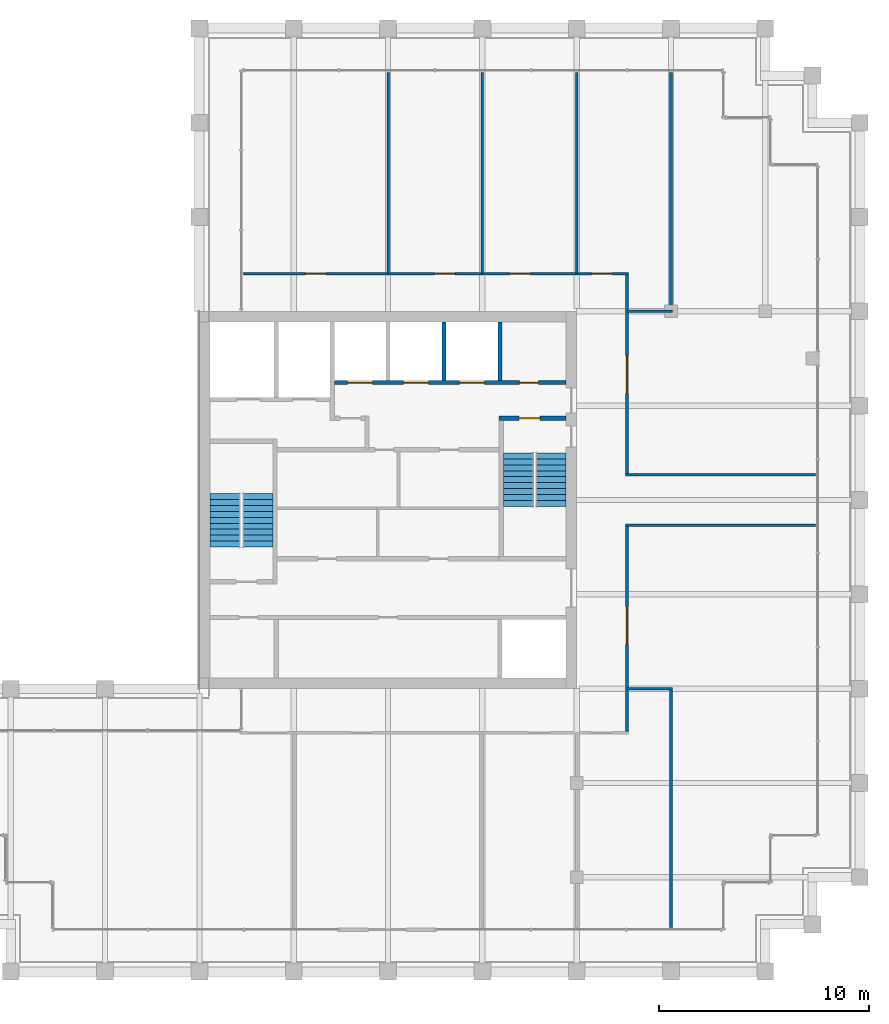
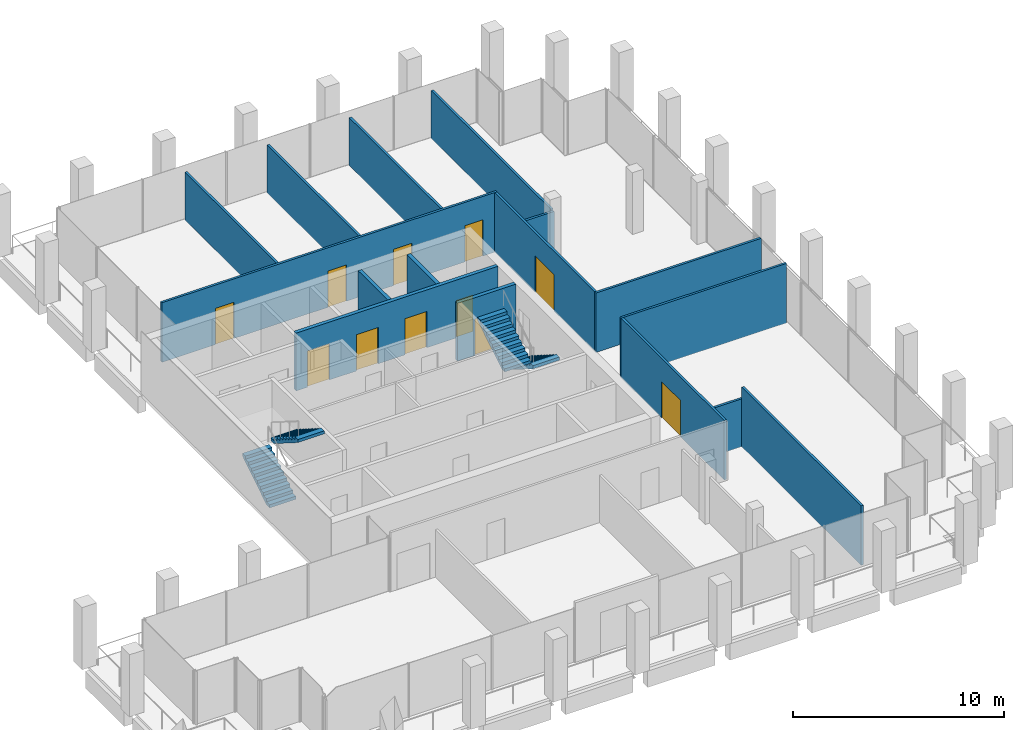
# One storey, part 29 of 30: 16 walls, 11 doors, 4 stair flights, 11 openings, 2 elements without a shape of their own.
"""IFC4 building model written with IfcOpenShell, lengths in metres."""

import ifcopenshell
import ifcopenshell.guid

model = None  # the IFC model being written
_history = None  # IfcOwnerHistory: only IFC2X3 demands one
_inside = {}  # id of a spatial element -> (the spatial element, [elements in it])
_under = {}  # id of a project, library or spatial element -> (it, [spatial elements below it])
_declared = {}  # id of a project -> (the project, [libraries it declares])
_typed = {}  # id of a type object -> (the type object, [elements of that type])
_made_of = {}  # id of a material, layer set ... -> (it, [elements and type objects made of it])


def new_model(schema):
    """Start an empty IFC model of exactly this schema.

    Asked for "IFC4X3", IfcOpenShell would pick the latest addendum, in which some entities
    have other attributes; the version numbers below select the first issue.
    IFC2X3 requires an IfcOwnerHistory on every rooted entity: one is made here for all.
    """
    global model, _history
    if schema == "IFC4X3":
        model = ifcopenshell.file(schema_version=(4, 3, 0, 0))
    else:
        model = ifcopenshell.file(schema=schema)
    _inside.clear()
    _under.clear()
    _declared.clear()
    _typed.clear()
    _made_of.clear()
    _history = None
    if model.schema == "IFC2X3":
        org = make("IfcOrganization", Name="unknown")
        user = make(
            "IfcPersonAndOrganization",
            ThePerson=make("IfcPerson", FamilyName="unknown"),
            TheOrganization=org,
        )
        app = make(
            "IfcApplication",
            ApplicationDeveloper=org,
            Version="unknown",
            ApplicationFullName="unknown",
            ApplicationIdentifier="unknown",
        )
        _history = make(
            "IfcOwnerHistory",
            OwningUser=user,
            OwningApplication=app,
            ChangeAction="ADDED",
            CreationDate=0,
        )
    return model


def make(cls, **values):
    """One entity of the class cls with the attributes given. An attribute that is None is left unset."""
    return model.create_entity(
        cls, **{name: value for name, value in values.items() if value is not None}
    )


def rooted(cls, **values):
    """An entity with a GlobalId (a new one), such as an element, a storey or a relation."""
    return make(cls, GlobalId=ifcopenshell.guid.new(), OwnerHistory=_history, **values)


def si_unit(unit_type, name, prefix=None):
    """IfcSIUnit, for example si_unit("LENGTHUNIT", "METRE", prefix="MILLI")."""
    return make("IfcSIUnit", UnitType=unit_type, Prefix=prefix, Name=name)


def assignment(units):
    """IfcUnitAssignment: the units of a project."""
    return None if units is None else make("IfcUnitAssignment", Units=units)


def point(xyz):
    """IfcCartesianPoint."""
    return None if xyz is None else make("IfcCartesianPoint", Coordinates=xyz)


def direction(xyz):
    """IfcDirection."""
    return None if xyz is None else make("IfcDirection", DirectionRatios=xyz)


def frame(location, z_axis=None, x_axis=None):
    """IfcAxis2Placement3D, a coordinate frame: its origin and axes. An axis left out is left unset."""
    return make(
        "IfcAxis2Placement3D",
        Location=point(location),
        Axis=direction(z_axis),
        RefDirection=direction(x_axis),
    )


def frame_2d(location, x_axis=None):
    """IfcAxis2Placement2D, a coordinate frame in the plane: its origin and x axis."""
    return make(
        "IfcAxis2Placement2D", Location=point(location), RefDirection=direction(x_axis)
    )


def origin():
    """The frame at (0, 0, 0) with its axes left unset."""
    return frame((0.0, 0.0, 0.0))


def place(relative_to, where):
    """IfcLocalPlacement: puts the frame where relative to a parent placement (None: the world)."""
    return make(
        "IfcLocalPlacement", PlacementRelTo=relative_to, RelativePlacement=where
    )


def context(
    kind, dimensions, precision=None, world=None, true_north=None, identifier=None
):
    """IfcGeometricRepresentationContext, for example the 3D "Model" context."""
    return make(
        "IfcGeometricRepresentationContext",
        ContextIdentifier=identifier,
        ContextType=kind,
        CoordinateSpaceDimension=dimensions,
        Precision=precision,
        WorldCoordinateSystem=world,
        TrueNorth=true_north,
    )


def subcontext(parent, identifier, kind, view, scale=None):
    """IfcGeometricRepresentationSubContext, for example "Body" below "Model"."""
    return make(
        "IfcGeometricRepresentationSubContext",
        ContextIdentifier=identifier,
        ContextType=kind,
        ParentContext=parent,
        TargetScale=scale,
        TargetView=view,
    )


def project(units=None, contexts=None):
    """IfcProject with its units and contexts."""
    return rooted(
        "IfcProject",
        Name="project",
        RepresentationContexts=contexts,
        UnitsInContext=assignment(units),
    )


def spatial(cls, under=None, at=None, **own):
    """A site, building, storey or space (cls), placed at a placement, below another one or the project."""
    s = rooted(cls, ObjectPlacement=at, **own)
    if under is not None:
        _under.setdefault(under.id(), (under, []))[1].append(s)
    return s


def polyline(points):
    """IfcPolyline through the points."""
    return make("IfcPolyline", Points=[point(p) for p in points])


def profile(cls, at=None, kind="AREA", **sizes):
    """A parametric profile (cls). Its sizes go by their IFC names, for example OverallWidth=200.0."""
    return make(cls, ProfileType=kind, Position=at, **sizes)


def rectangle(**sizes):
    """IfcRectangleProfileDef."""
    return profile("IfcRectangleProfileDef", **sizes)


def outline(outer, holes=None, kind="AREA"):
    """IfcArbitraryClosedProfileDef: a profile drawn as a closed curve; with holes, ...WithVoids."""
    if holes is None:
        return make("IfcArbitraryClosedProfileDef", ProfileType=kind, OuterCurve=outer)
    return make(
        "IfcArbitraryProfileDefWithVoids",
        ProfileType=kind,
        OuterCurve=outer,
        InnerCurves=holes,
    )


def extrude(swept, where, along, depth):
    """IfcExtrudedAreaSolid: the profile swept, set in the frame where, extruded along a direction by depth."""
    return make(
        "IfcExtrudedAreaSolid",
        SweptArea=swept,
        Position=where,
        ExtrudedDirection=direction(along),
        Depth=depth,
    )


def shape(context_of_items, identifier, shape_type, items):
    """IfcShapeRepresentation: the items that make up one representation, for example the "Body"."""
    return make(
        "IfcShapeRepresentation",
        ContextOfItems=context_of_items,
        RepresentationIdentifier=identifier,
        RepresentationType=shape_type,
        Items=items,
    )


def material(Name=None, Category=None):
    """IfcMaterial."""
    return make("IfcMaterial", Name=Name, Category=Category)


def layer(
    of_material, thickness, ventilated=None, Name=None, Category=None, Priority=None
):
    """IfcMaterialLayer: one layer of a wall or slab, of a material (None: an air gap)."""
    return make(
        "IfcMaterialLayer",
        Material=of_material,
        LayerThickness=thickness,
        IsVentilated=ventilated,
        Name=Name,
        Category=Category,
        Priority=Priority,
    )


def layer_set(layers, Name=None):
    """IfcMaterialLayerSet."""
    return make("IfcMaterialLayerSet", MaterialLayers=layers, LayerSetName=Name)


def made_of(thing, what):
    """Note that an element or type object is made of a material, layer set ...; save() writes the relation."""
    if what is not None:
        _made_of.setdefault(what.id(), (what, []))[1].append(thing)
    return thing


def type_object(cls, material=None, **own):
    """A type object (cls), such as IfcWallType, which elements share."""
    return made_of(rooted(cls, **own), material)


def element(
    cls,
    number,
    at=None,
    inside=None,
    cuts=None,
    type_object=None,
    material=None,
    context=None,
    identifier="Body",
    shape_type=None,
    held_by="IfcProductDefinitionShape",
    body=None,
    shapes=None,
    **own,
):
    """One element of the class cls, such as IfcWall. Its Tag is "e" and its number.

    at: its placement. inside: the storey or other place that contains it. cuts: it is an
    opening in that element (IfcRelVoidsElement). A single representation is given by context,
    identifier, shape_type and body (its items); several are given by shapes. held_by: the class
    of the entity that holds the representations. save() writes the other relations.
    """
    e = rooted(cls, Tag="e%d" % number, ObjectPlacement=at, **own)
    if body is not None:
        shapes = [shape(context, identifier, shape_type, body)]
    if shapes is not None:
        e.Representation = make(held_by, Representations=shapes)
    if inside is not None:
        _inside.setdefault(inside.id(), (inside, []))[1].append(e)
    if cuts is not None:
        rooted(
            "IfcRelVoidsElement", RelatingBuildingElement=cuts, RelatedOpeningElement=e
        )
    if type_object is not None:
        _typed.setdefault(type_object.id(), (type_object, []))[1].append(e)
    return made_of(e, material)


def fill(opening, filler):
    """IfcRelFillsElement: the door or window that sits in an opening."""
    return rooted(
        "IfcRelFillsElement",
        RelatingOpeningElement=opening,
        RelatedBuildingElement=filler,
    )


def aggregate(whole, parts):
    """IfcRelAggregates: a whole, such as a stair, and the parts it consists of."""
    return rooted("IfcRelAggregates", RelatingObject=whole, RelatedObjects=parts)


def save(model, path):
    """Write the relations noted so far, then the file.

    IfcRelAggregates (storeys below a building ...), IfcRelContainedInSpatialStructure (elements
    in a storey), IfcRelDefinesByType, IfcRelAssociatesMaterial and IfcRelDeclares: one each for
    every whole, place, type object, material and project.
    """
    for whole, parts in _under.values():
        aggregate(whole, parts)
    for where, things in _inside.values():
        rooted(
            "IfcRelContainedInSpatialStructure",
            RelatedElements=things,
            RelatingStructure=where,
        )
    for kind, things in _typed.values():
        rooted("IfcRelDefinesByType", RelatedObjects=things, RelatingType=kind)
    for what, things in _made_of.values():
        rooted("IfcRelAssociatesMaterial", RelatedObjects=things, RelatingMaterial=what)
    for by, libraries in _declared.values():
        rooted("IfcRelDeclares", RelatingContext=by, RelatedDefinitions=libraries)
    model.write(path)


model = new_model("IFC4")

# Units and contexts
model_context = context("Model", 3, precision=1e-05, world=origin(), true_north=direction((0.0, 1.0)))
body_context = subcontext(model_context, "Body", "Model", "MODEL_VIEW")
ifc_project = project(units=[si_unit("LENGTHUNIT", "METRE"), si_unit("AREAUNIT", "SQUARE_METRE"), si_unit("VOLUMEUNIT", "CUBIC_METRE"), si_unit("PLANEANGLEUNIT", "RADIAN"), si_unit("MASSUNIT", "GRAM", prefix="KILO")], contexts=[model_context])

# Site, building, storey
site_placement = place(None, origin())
site = spatial("IfcSite", under=ifc_project, at=site_placement, CompositionType="ELEMENT")
building_placement = place(site_placement, origin())
building = spatial("IfcBuilding", under=site, at=building_placement, Name="Altepetl Exchange Towers", CompositionType="ELEMENT")
storey_placement = place(building_placement, frame((0.0, 0.0, 217.199951171875)))
storey = spatial("IfcBuildingStorey", under=building, at=storey_placement, Name="L55", CompositionType="ELEMENT", Elevation=217.199951171875)

# Walls
ifc_material_1 = material(Name="Timber panels on aluminium track", Category="wood")
ifc_layer_1 = layer(ifc_material_1, 0.125)
ifc_layer_set_1 = layer_set([ifc_layer_1], Name="Timber panels on aluminium track")
wall_type_1 = type_object("IfcWallType", Name="Operable acoustic partition 125", PredefinedType="MOVABLE", material=ifc_layer_set_1)
wall_1_placement = place(storey_placement, frame((58.5, 60.300048828125, 0.0), z_axis=(0.0, 0.0, 1.0), x_axis=(0.0, 1.0, 0.0)))
element("IfcWall", 1, at=wall_1_placement, inside=storey, type_object=wall_type_1, Name="wall:A:L55:P14", PredefinedType="MOVABLE", context=body_context, shape_type="SweptSolid", body=[
    extrude(rectangle(XDim=9.599853515625, YDim=0.125, at=frame_2d((4.7998046875, 0.0))), origin(), (0.0, 0.0, 1.0), 2.77197265625),
])
ifc_material_2 = material(Name="Gypsum board on steel studs", Category="steel")
ifc_layer_2 = layer(ifc_material_2, 0.125)
ifc_layer_set_2 = layer_set([ifc_layer_2], Name="Gypsum board on steel studs")
wall_type_2 = type_object("IfcWallType", Name="Partition 125 gypsum board on steel studs", PredefinedType="PARTITIONING", material=ifc_layer_set_2)
wall_2_placement = place(storey_placement, frame((60.89990234375, 40.5, 0.0)))
element("IfcWall", 2, at=wall_2_placement, inside=storey, type_object=wall_type_2, Name="wall:A:L55:P02", PredefinedType="PARTITIONING", context=body_context, shape_type="SweptSolid", body=[
    extrude(rectangle(XDim=2.16259765625, YDim=0.125, at=frame_2d((1.081298828125, 0.0))), origin(), (0.0, 0.0, 1.0), 2.77197265625),
])
for number, where, name in (
    (3, (60.83740234375, 48.300048828125, 0.0), "wall:A:L55:P03"),
    (4, (60.83740234375, 50.699951171875, 0.0), "wall:A:L55:P04"),
):
    element("IfcWall", number, at=place(storey_placement, frame(where)), inside=storey, type_object=wall_type_2, Name=name, PredefinedType="PARTITIONING", context=body_context, shape_type="SweptSolid", body=[
        extrude(rectangle(XDim=9.0625, YDim=0.125, at=frame_2d((4.53125, 0.0))), origin(), (0.0, 0.0, 1.0), 3.449951171875),
    ])
wall_3_placement = place(storey_placement, frame((60.89990234375, 58.5, 0.0)))
element("IfcWall", 5, at=wall_3_placement, inside=storey, type_object=wall_type_2, Name="wall:A:L55:P05", PredefinedType="PARTITIONING", context=body_context, shape_type="SweptSolid", body=[
    extrude(rectangle(XDim=2.16259765625, YDim=0.125, at=frame_2d((1.081298828125, 0.0))), origin(), (0.0, 0.0, 1.0), 2.676025390625),
])

# Wall, openings, doors
wall_4_placement = place(storey_placement, frame((42.60009765625, 60.300048828125, 0.0)))
wall_4 = element("IfcWall", 6, at=wall_4_placement, inside=storey, type_object=wall_type_2, Name="wall:A:L55:P06", PredefinedType="PARTITIONING", context=body_context, shape_type="SweptSolid", body=[
    extrude(rectangle(XDim=18.3623046875, YDim=0.125, at=frame_2d((9.18115234375, 0.0))), origin(), (0.0, 0.0, 1.0), 3.449951171875),
])
opening_1_placement = place(wall_4_placement, frame((16.60009765625, 0.0, 0.0)))
opening_1 = element("IfcOpeningElement", 7, at=opening_1_placement, cuts=wall_4, Name="Opening L55.A07", PredefinedType="OPENING", context=body_context, shape_type="SweptSolid", body=[
    extrude(rectangle(XDim=1.0, YDim=2.10009765625, at=frame_2d((0.5, 1.050048828125))), frame((0.0, 0.072509765625, 0.0), z_axis=(0.0, -1.0, 0.0), x_axis=(1.0, 0.0, 0.0)), (0.0, 0.0, 1.0), 0.14501953125),
])
opening_2_placement = place(wall_4_placement, frame((12.695068359375, 0.0, 0.0)))
opening_2 = element("IfcOpeningElement", 8, at=opening_2_placement, cuts=wall_4, Name="Opening L55.A08", PredefinedType="OPENING", context=body_context, shape_type="SweptSolid", body=[
    extrude(rectangle(XDim=1.0, YDim=2.10009765625, at=frame_2d((0.5, 1.050048828125))), frame((0.0, 0.072509765625, 0.0), z_axis=(0.0, -1.0, 0.0), x_axis=(1.0, 0.0, 0.0)), (0.0, 0.0, 1.0), 0.14501953125),
])
opening_3_placement = place(wall_4_placement, frame((9.10498046875, 0.0, 0.0)))
opening_3 = element("IfcOpeningElement", 9, at=opening_3_placement, cuts=wall_4, Name="Opening L55.A09", PredefinedType="OPENING", context=body_context, shape_type="SweptSolid", body=[
    extrude(rectangle(XDim=1.0, YDim=2.10009765625, at=frame_2d((0.5, 1.050048828125))), frame((0.0, 0.072509765625, 0.0), z_axis=(0.0, -1.0, 0.0), x_axis=(1.0, 0.0, 0.0)), (0.0, 0.0, 1.0), 0.14501953125),
])
opening_4_placement = place(wall_4_placement, frame((2.949951171875, 0.0, 0.0)))
opening_4 = element("IfcOpeningElement", 10, at=opening_4_placement, cuts=wall_4, Name="Opening L55.A10", PredefinedType="OPENING", context=body_context, shape_type="SweptSolid", body=[
    extrude(rectangle(XDim=1.0, YDim=2.10009765625, at=frame_2d((0.5, 1.050048828125))), frame((0.0, 0.072509765625, 0.0), z_axis=(0.0, -1.0, 0.0), x_axis=(1.0, 0.0, 0.0)), (0.0, 0.0, 1.0), 0.14501953125),
])
ifc_material_3 = material(Name="Steel and timber fire door", Category="steel")
door_type_1 = type_object("IfcDoorType", Name="Fire door 1000 x 2100 single leaf", OperationType="SINGLE_SWING_LEFT", PredefinedType="DOOR", material=ifc_material_3)
door_1_placement = place(opening_1_placement, origin())
door_1 = element("IfcDoor", 11, at=door_1_placement, inside=storey, type_object=door_type_1, Name="door:A:L55:07", OperationType="SINGLE_SWING_RIGHT", OverallHeight=2.10009765625, OverallWidth=1.0, PredefinedType="DOOR", context=body_context, shape_type="SweptSolid", body=[
    extrude(rectangle(XDim=1.0, YDim=2.10009765625, at=frame_2d((0.5, 1.050048828125))), frame((0.0, 0.02490234375, 0.0), z_axis=(0.0, -1.0, 0.0), x_axis=(1.0, 0.0, 0.0)), (0.0, 0.0, 1.0), 0.050048828125),
])
fill(opening_1, door_1)
door_2_placement = place(opening_2_placement, origin())
door_2 = element("IfcDoor", 12, at=door_2_placement, inside=storey, type_object=door_type_1, Name="door:A:L55:08", OperationType="SINGLE_SWING_LEFT", OverallHeight=2.10009765625, OverallWidth=1.0, PredefinedType="DOOR", context=body_context, shape_type="SweptSolid", body=[
    extrude(rectangle(XDim=1.0, YDim=2.10009765625, at=frame_2d((0.5, 1.050048828125))), frame((0.0, 0.02490234375, 0.0), z_axis=(0.0, -1.0, 0.0), x_axis=(1.0, 0.0, 0.0)), (0.0, 0.0, 1.0), 0.050048828125),
])
fill(opening_2, door_2)
door_3_placement = place(opening_3_placement, origin())
door_3 = element("IfcDoor", 13, at=door_3_placement, inside=storey, type_object=door_type_1, Name="door:A:L55:09", OperationType="SINGLE_SWING_RIGHT", OverallHeight=2.10009765625, OverallWidth=1.0, PredefinedType="DOOR", context=body_context, shape_type="SweptSolid", body=[
    extrude(rectangle(XDim=1.0, YDim=2.10009765625, at=frame_2d((0.5, 1.050048828125))), frame((0.0, 0.02490234375, 0.0), z_axis=(0.0, -1.0, 0.0), x_axis=(1.0, 0.0, 0.0)), (0.0, 0.0, 1.0), 0.050048828125),
])
fill(opening_3, door_3)
door_4_placement = place(opening_4_placement, origin())
door_4 = element("IfcDoor", 14, at=door_4_placement, inside=storey, type_object=door_type_1, Name="door:A:L55:10", OperationType="SINGLE_SWING_RIGHT", OverallHeight=2.10009765625, OverallWidth=1.0, PredefinedType="DOOR", context=body_context, shape_type="SweptSolid", body=[
    extrude(rectangle(XDim=1.0, YDim=2.10009765625, at=frame_2d((0.5, 1.050048828125))), frame((0.0, 0.02490234375, 0.0), z_axis=(0.0, -1.0, 0.0), x_axis=(1.0, 0.0, 0.0)), (0.0, 0.0, 1.0), 0.050048828125),
])
fill(opening_4, door_4)

# Walls
for number, where, z_axis, x_axis, name in (
    (15, (49.5, 60.300048828125, 0.0), (0.0, 0.0, 1.0), (0.0, 1.0, 0.0), "wall:A:L55:P08"),
    (16, (54.0, 60.300048828125, 0.0), (0.0, 0.0, 1.0), (0.0, 1.0, 0.0), "wall:A:L55:P10"),
):
    element("IfcWall", number, at=place(storey_placement, frame(where, z_axis=z_axis, x_axis=x_axis)), inside=storey, type_object=wall_type_2, Name=name, PredefinedType="PARTITIONING", context=body_context, shape_type="SweptSolid", body=[
        extrude(rectangle(XDim=9.599853515625, YDim=0.125, at=frame_2d((4.7998046875, 0.0))), origin(), (0.0, 0.0, 1.0), 2.77197265625),
    ])

# Wall, opening, door
wall_5_placement = place(storey_placement, frame((60.89990234375, 38.46240234375, 0.0), z_axis=(0.0, 0.0, 1.0), x_axis=(0.0, 1.0, 0.0)))
wall_5 = element("IfcWall", 17, at=wall_5_placement, inside=storey, type_object=wall_type_2, Name="wall:A:L55:P15", PredefinedType="PARTITIONING", context=body_context, shape_type="SweptSolid", body=[
    extrude(rectangle(XDim=9.775146484375, YDim=0.125, at=frame_2d((4.8876953125, 0.0))), origin(), (0.0, 0.0, 1.0), 3.449951171875),
])
opening_5_placement = place(wall_5_placement, frame((4.1455078125, 0.0, 0.0)))
opening_5 = element("IfcOpeningElement", 18, at=opening_5_placement, cuts=wall_5, Name="Opening L55.A05", PredefinedType="OPENING", context=body_context, shape_type="SweptSolid", body=[
    extrude(rectangle(XDim=1.800048828125, YDim=2.10009765625, at=frame_2d((0.89990234375, 1.050048828125))), frame((0.0, 0.072509765625, 0.0), z_axis=(0.0, -1.0, 0.0), x_axis=(1.0, 0.0, 0.0)), (0.0, 0.0, 1.0), 0.14501953125),
])
door_type_2 = type_object("IfcDoorType", Name="Fire door 1800 x 2100 double leaf", OperationType="DOUBLE_DOOR_SINGLE_SWING", PredefinedType="DOOR", material=ifc_material_3)
door_5_placement = place(opening_5_placement, frame((1.800048828125, 0.0, 0.0), x_axis=(-1.0, 0.0, 0.0)))
door_5 = element("IfcDoor", 19, at=door_5_placement, inside=storey, type_object=door_type_2, Name="door:A:L55:05", OperationType="DOUBLE_DOOR_SINGLE_SWING", OverallHeight=2.10009765625, OverallWidth=1.800048828125, PredefinedType="DOOR", context=body_context, shape_type="SweptSolid", body=[
    extrude(rectangle(XDim=1.800048828125, YDim=2.10009765625, at=frame_2d((0.89990234375, 1.050048828125))), frame((0.0, 0.02490234375, 0.0), z_axis=(0.0, -1.0, 0.0), x_axis=(1.0, 0.0, 0.0)), (0.0, 0.0, 1.0), 0.050048828125),
])
fill(opening_5, door_5)

wall_6_placement = place(storey_placement, frame((60.89990234375, 50.762451171875, 0.0), z_axis=(0.0, 0.0, 1.0), x_axis=(0.0, 1.0, 0.0)))
wall_6 = element("IfcWall", 20, at=wall_6_placement, inside=storey, type_object=wall_type_2, Name="wall:A:L55:P16", PredefinedType="PARTITIONING", context=body_context, shape_type="SweptSolid", body=[
    extrude(rectangle(XDim=9.47509765625, YDim=0.125, at=frame_2d((4.737548828125, 0.0))), origin(), (0.0, 0.0, 1.0), 3.449951171875),
])
opening_6_placement = place(wall_6_placement, frame((3.82958984375, 0.0, 0.0)))
opening_6 = element("IfcOpeningElement", 21, at=opening_6_placement, cuts=wall_6, Name="Opening L55.A06", PredefinedType="OPENING", context=body_context, shape_type="SweptSolid", body=[
    extrude(rectangle(XDim=1.800048828125, YDim=2.10009765625, at=frame_2d((0.89990234375, 1.050048828125))), frame((0.0, 0.072509765625, 0.0), z_axis=(0.0, -1.0, 0.0), x_axis=(1.0, 0.0, 0.0)), (0.0, 0.0, 1.0), 0.14501953125),
])
door_6_placement = place(opening_6_placement, frame((1.800048828125, 0.0, 0.0), x_axis=(-1.0, 0.0, 0.0)))
door_6 = element("IfcDoor", 22, at=door_6_placement, inside=storey, type_object=door_type_2, Name="door:A:L55:06", OperationType="DOUBLE_DOOR_SINGLE_SWING", OverallHeight=2.10009765625, OverallWidth=1.800048828125, PredefinedType="DOOR", context=body_context, shape_type="SweptSolid", body=[
    extrude(rectangle(XDim=1.800048828125, YDim=2.10009765625, at=frame_2d((0.89990234375, 1.050048828125))), frame((0.0, 0.02490234375, 0.0), z_axis=(0.0, -1.0, 0.0), x_axis=(1.0, 0.0, 0.0)), (0.0, 0.0, 1.0), 0.050048828125),
])
fill(opening_6, door_6)

# Walls
wall_7_placement = place(storey_placement, frame((63.0, 29.10009765625, 0.0), z_axis=(0.0, 0.0, 1.0), x_axis=(0.0, 1.0, 0.0)))
element("IfcWall", 23, at=wall_7_placement, inside=storey, type_object=wall_type_2, Name="wall:A:L55:P17", PredefinedType="PARTITIONING", context=body_context, shape_type="SweptSolid", body=[
    extrude(rectangle(XDim=11.33740234375, YDim=0.125, at=frame_2d((5.668701171875, 0.0))), origin(), (0.0, 0.0, 1.0), 3.449951171875),
])
wall_8_placement = place(storey_placement, frame((63.0, 58.5625, 0.0), z_axis=(0.0, 0.0, 1.0), x_axis=(0.0, 1.0, 0.0)))
element("IfcWall", 24, at=wall_8_placement, inside=storey, type_object=wall_type_2, Name="wall:A:L55:P18", PredefinedType="PARTITIONING", context=body_context, shape_type="SweptSolid", body=[
    extrude(rectangle(XDim=11.33740234375, YDim=0.125, at=frame_2d((5.668701171875, 0.0))), origin(), (0.0, 0.0, 1.0), 2.77197265625),
])
ifc_material_4 = material(Name="Concrete C40/50", Category="concrete")
ifc_layer_3 = layer(ifc_material_4, 0.199951171875)
ifc_layer_set_3 = layer_set([ifc_layer_3], Name="Concrete C40/50")
wall_type_3 = type_object("IfcWallType", Name="Shaft wall 200 reinforced concrete", PredefinedType="SHEAR", material=ifc_layer_set_3)
for number, where, z_axis, x_axis, name in (
    (25, (52.166748046875, 58.0, 0.0), (0.0, 0.0, 1.0), (0.0, -1.0, 0.0), "wall:A:L55:K-divN4"),
    (26, (54.833251953125, 58.0, 0.0), (0.0, 0.0, 1.0), (0.0, -1.0, 0.0), "wall:A:L55:K-divN5"),
):
    element("IfcWall", number, at=place(storey_placement, frame(where, z_axis=z_axis, x_axis=x_axis)), inside=storey, type_object=wall_type_3, Name=name, PredefinedType="SHEAR", context=body_context, shape_type="SweptSolid", body=[
        extrude(rectangle(XDim=2.800048828125, YDim=0.199951171875, at=frame_2d((1.39990234375, 0.0))), origin(), (0.0, 0.0, 1.0), 3.35009765625),
    ])

# Wall, openings, doors
wall_9_placement = place(storey_placement, frame((46.933349609375, 55.10009765625, 0.0)))
wall_9 = element("IfcWall", 27, at=wall_9_placement, inside=storey, type_object=wall_type_3, Name="wall:A:L55:K-frontNb", PredefinedType="SHEAR", context=body_context, shape_type="SweptSolid", body=[
    extrude(rectangle(XDim=11.066650390625, YDim=0.199951171875, at=frame_2d((5.533203125, 0.0))), origin(), (0.0, 0.0, 1.0), 3.35009765625),
])
opening_7_placement = place(wall_9_placement, frame((8.83349609375, 0.0, 0.0)))
opening_7 = element("IfcOpeningElement", 28, at=opening_7_placement, cuts=wall_9, Name="Opening L55.A66", PredefinedType="OPENING", context=body_context, shape_type="SweptSolid", body=[
    extrude(rectangle(XDim=0.89990234375, YDim=2.10009765625, at=frame_2d((0.449951171875, 1.050048828125))), frame((0.0, 0.10986328125, 0.0), z_axis=(0.0, -1.0, 0.0), x_axis=(1.0, 0.0, 0.0)), (0.0, 0.0, 1.0), 0.219970703125),
])
opening_8_placement = place(wall_9_placement, frame((0.63330078125, 0.0, 0.0)))
opening_8 = element("IfcOpeningElement", 29, at=opening_8_placement, cuts=wall_9, Name="Opening L55.A75", PredefinedType="OPENING", context=body_context, shape_type="SweptSolid", body=[
    extrude(rectangle(XDim=1.199951171875, YDim=2.10009765625, at=frame_2d((0.60009765625, 1.050048828125))), frame((0.0, 0.10986328125, 0.0), z_axis=(0.0, -1.0, 0.0), x_axis=(1.0, 0.0, 0.0)), (0.0, 0.0, 1.0), 0.219970703125),
])
opening_9_placement = place(wall_9_placement, frame((3.300048828125, 0.0, 0.0)))
opening_9 = element("IfcOpeningElement", 30, at=opening_9_placement, cuts=wall_9, Name="Opening L55.A76", PredefinedType="OPENING", context=body_context, shape_type="SweptSolid", body=[
    extrude(rectangle(XDim=1.199951171875, YDim=2.10009765625, at=frame_2d((0.60009765625, 1.050048828125))), frame((0.0, 0.10986328125, 0.0), z_axis=(0.0, -1.0, 0.0), x_axis=(1.0, 0.0, 0.0)), (0.0, 0.0, 1.0), 0.219970703125),
])
opening_10_placement = place(wall_9_placement, frame((5.966796875, 0.0, 0.0)))
opening_10 = element("IfcOpeningElement", 31, at=opening_10_placement, cuts=wall_9, Name="Opening L55.A77", PredefinedType="OPENING", context=body_context, shape_type="SweptSolid", body=[
    extrude(rectangle(XDim=1.199951171875, YDim=2.10009765625, at=frame_2d((0.60009765625, 1.050048828125))), frame((0.0, 0.10986328125, 0.0), z_axis=(0.0, -1.0, 0.0), x_axis=(1.0, 0.0, 0.0)), (0.0, 0.0, 1.0), 0.219970703125),
])
door_type_3 = type_object("IfcDoorType", Name="Fire door 900 x 2100 service room", OperationType="SINGLE_SWING_LEFT", PredefinedType="DOOR", material=ifc_material_3)
door_7_placement = place(opening_7_placement, origin())
door_7 = element("IfcDoor", 32, at=door_7_placement, inside=storey, type_object=door_type_3, Name="door:A:L55:K-driser", OperationType="SINGLE_SWING_RIGHT", OverallHeight=2.10009765625, OverallWidth=0.89990234375, PredefinedType="DOOR", context=body_context, shape_type="SweptSolid", body=[
    extrude(rectangle(XDim=0.89990234375, YDim=2.10009765625, at=frame_2d((0.449951171875, 1.050048828125))), frame((0.0, 0.02490234375, 0.0), z_axis=(0.0, -1.0, 0.0), x_axis=(1.0, 0.0, 0.0)), (0.0, 0.0, 1.0), 0.050048828125),
])
fill(opening_7, door_7)
ifc_material_5 = material(Name="Stainless steel", Category="steel")
door_type_4 = type_object("IfcDoorType", Name="Lift landing door 1200 x 2100", OperationType="SLIDING_TO_LEFT", PredefinedType="DOOR", material=ifc_material_5)
door_8_placement = place(opening_8_placement, origin())
door_8 = element("IfcDoor", 33, at=door_8_placement, inside=storey, type_object=door_type_4, Name="Landing door P5", OperationType="SLIDING_TO_LEFT", OverallHeight=2.10009765625, OverallWidth=1.199951171875, PredefinedType="DOOR", context=body_context, shape_type="SweptSolid", body=[
    extrude(rectangle(XDim=1.199951171875, YDim=2.10009765625, at=frame_2d((0.60009765625, 1.050048828125))), frame((0.0, 0.02490234375, 0.0), z_axis=(0.0, -1.0, 0.0), x_axis=(1.0, 0.0, 0.0)), (0.0, 0.0, 1.0), 0.050048828125),
])
fill(opening_8, door_8)
door_9_placement = place(opening_9_placement, origin())
door_9 = element("IfcDoor", 34, at=door_9_placement, inside=storey, type_object=door_type_4, Name="Landing door P6", OperationType="SLIDING_TO_LEFT", OverallHeight=2.10009765625, OverallWidth=1.199951171875, PredefinedType="DOOR", context=body_context, shape_type="SweptSolid", body=[
    extrude(rectangle(XDim=1.199951171875, YDim=2.10009765625, at=frame_2d((0.60009765625, 1.050048828125))), frame((0.0, 0.02490234375, 0.0), z_axis=(0.0, -1.0, 0.0), x_axis=(1.0, 0.0, 0.0)), (0.0, 0.0, 1.0), 0.050048828125),
])
fill(opening_9, door_9)
door_10_placement = place(opening_10_placement, origin())
door_10 = element("IfcDoor", 35, at=door_10_placement, inside=storey, type_object=door_type_4, Name="Landing door P7", OperationType="SLIDING_TO_LEFT", OverallHeight=2.10009765625, OverallWidth=1.199951171875, PredefinedType="DOOR", context=body_context, shape_type="SweptSolid", body=[
    extrude(rectangle(XDim=1.199951171875, YDim=2.10009765625, at=frame_2d((0.60009765625, 1.050048828125))), frame((0.0, 0.02490234375, 0.0), z_axis=(0.0, -1.0, 0.0), x_axis=(1.0, 0.0, 0.0)), (0.0, 0.0, 1.0), 0.050048828125),
])
fill(opening_10, door_10)

# Wall, opening, door
ifc_layer_4 = layer(ifc_material_4, 0.199951171875)
ifc_layer_set_4 = layer_set([ifc_layer_4], Name="Concrete C40/50")
wall_type_4 = type_object("IfcWallType", Name="Stair wall 200 reinforced concrete", PredefinedType="SHEAR", material=ifc_layer_set_4)
wall_10_placement = place(storey_placement, frame((54.800048828125, 53.39990234375, 0.0)))
wall_10 = element("IfcWall", 36, at=wall_10_placement, inside=storey, type_object=wall_type_4, Name="wall:A:L55:K-stS2N", PredefinedType="SHEAR", context=body_context, shape_type="SweptSolid", body=[
    extrude(rectangle(XDim=3.199951171875, YDim=0.199951171875, at=frame_2d((1.60009765625, 0.0))), origin(), (0.0, 0.0, 1.0), 3.35009765625),
])
opening_11_placement = place(wall_10_placement, frame((0.949951171875, 0.0, 0.0)))
opening_11 = element("IfcOpeningElement", 37, at=opening_11_placement, cuts=wall_10, Name="Opening L55.A63", PredefinedType="OPENING", context=body_context, shape_type="SweptSolid", body=[
    extrude(rectangle(XDim=1.0, YDim=2.10009765625, at=frame_2d((0.5, 1.050048828125))), frame((0.0, 0.10986328125, 0.0), z_axis=(0.0, -1.0, 0.0), x_axis=(1.0, 0.0, 0.0)), (0.0, 0.0, 1.0), 0.219970703125),
])
door_type_5 = type_object("IfcDoorType", Name="Fire door 1000 x 2100 stair and lobby", OperationType="SINGLE_SWING_LEFT", PredefinedType="DOOR", material=ifc_material_3)
door_11_placement = place(opening_11_placement, frame((1.0, 0.0, 0.0), x_axis=(-1.0, 0.0, 0.0)))
door_11 = element("IfcDoor", 38, at=door_11_placement, inside=storey, type_object=door_type_5, Name="door:A:L55:K-dS2in", OperationType="SINGLE_SWING_LEFT", OverallHeight=2.10009765625, OverallWidth=1.0, PredefinedType="DOOR", context=body_context, shape_type="SweptSolid", body=[
    extrude(rectangle(XDim=1.0, YDim=2.10009765625, at=frame_2d((0.5, 1.050048828125))), frame((0.0, 0.02490234375, 0.0), z_axis=(0.0, -1.0, 0.0), x_axis=(1.0, 0.0, 0.0)), (0.0, 0.0, 1.0), 0.050048828125),
])
fill(opening_11, door_11)

# Stair, stair flights
stair_type = type_object("IfcStairType", Name="Exit stair 1450 flights dogleg", PredefinedType="HALF_TURN_STAIR", material=ifc_material_4)
stair_1_placement = place(storey_placement, origin())
stair_1 = element("IfcStair", 39, at=stair_1_placement, inside=storey, type_object=stair_type, Name="Exit stair 1", PredefinedType="HALF_TURN_STAIR")
stair_flight_type = type_object("IfcStairFlightType", Name="Stair flight 1450 wide", PredefinedType="STRAIGHT", material=ifc_material_4)
stair_flight_1_placement = place(storey_placement, frame((41.72509765625, 47.25, 0.0), z_axis=(0.0, 0.0, 1.0), x_axis=(0.0, 1.0, 0.0)))
stair_flight_1 = element("IfcStairFlight", 40, at=stair_flight_1_placement, type_object=stair_flight_type, Name="ST-A1f flight 1", NumberOfRisers=10, NumberOfTreads=9, PredefinedType="STRAIGHT", RiserHeight=0.18, TreadLength=0.285, context=body_context, shape_type="SweptSolid", body=[
    extrude(outline(polyline([(0.0, 0.0), (0.0, 0.179931640625), (0.284912109375, 0.179931640625), (0.284912109375, 0.360107421875), (0.570068359375, 0.360107421875), (0.570068359375, 0.5400390625), (0.85498046875, 0.5400390625), (0.85498046875, 0.719970703125), (1.139892578125, 0.719970703125), (1.139892578125, 0.89990234375), (1.425048828125, 0.89990234375), (1.425048828125, 1.080078125), (1.7099609375, 1.080078125), (1.7099609375, 1.260009765625), (1.9951171875, 1.260009765625), (1.9951171875, 1.43994140625), (2.280029296875, 1.43994140625), (2.280029296875, 1.6201171875), (2.56494140625, 1.6201171875), (2.56494140625, 1.800048828125), (2.56494140625, 1.442626953125), (0.28076171875, 0.0), (0.0, 0.0)])), frame((0.0, 0.72509765625, 0.0), z_axis=(0.0, -1.0, 0.0), x_axis=(1.0, 0.0, 0.0)), (0.0, 0.0, 1.0), 1.449951171875),
])
stair_flight_2_placement = place(storey_placement, frame((43.27490234375, 49.81494140625, 1.800048828125), z_axis=(0.0, 0.0, 1.0), x_axis=(0.0, -1.0, 0.0)))
stair_flight_2 = element("IfcStairFlight", 41, at=stair_flight_2_placement, type_object=stair_flight_type, Name="ST-A1f flight 2", NumberOfRisers=10, NumberOfTreads=9, PredefinedType="STRAIGHT", RiserHeight=0.18, TreadLength=0.285, context=body_context, shape_type="SweptSolid", body=[
    extrude(outline(polyline([(0.0, 0.0), (0.0, 0.179931640625), (0.284912109375, 0.179931640625), (0.284912109375, 0.360107421875), (0.570068359375, 0.360107421875), (0.570068359375, 0.5400390625), (0.85498046875, 0.5400390625), (0.85498046875, 0.719970703125), (1.139892578125, 0.719970703125), (1.139892578125, 0.89990234375), (1.425048828125, 0.89990234375), (1.425048828125, 1.080078125), (1.7099609375, 1.080078125), (1.7099609375, 1.260009765625), (1.9951171875, 1.260009765625), (1.9951171875, 1.43994140625), (2.280029296875, 1.43994140625), (2.280029296875, 1.6201171875), (2.56494140625, 1.6201171875), (2.56494140625, 1.800048828125), (2.56494140625, 1.442626953125), (0.28076171875, 0.0), (0.0, 0.0)])), frame((0.0, 0.72509765625, 0.0), z_axis=(0.0, -1.0, 0.0), x_axis=(1.0, 0.0, 0.0)), (0.0, 0.0, 1.0), 1.449951171875),
])
aggregate(stair_1, [stair_flight_1, stair_flight_2])

stair_2_placement = place(storey_placement, origin())
stair_2 = element("IfcStair", 42, at=stair_2_placement, inside=storey, type_object=stair_type, Name="Exit stair 2", PredefinedType="HALF_TURN_STAIR")
stair_flight_3_placement = place(storey_placement, frame((57.27490234375, 51.75, 0.0), z_axis=(0.0, 0.0, 1.0), x_axis=(0.0, -1.0, 0.0)))
stair_flight_3 = element("IfcStairFlight", 43, at=stair_flight_3_placement, type_object=stair_flight_type, Name="ST-A2f flight 1", NumberOfRisers=10, NumberOfTreads=9, PredefinedType="STRAIGHT", RiserHeight=0.18, TreadLength=0.285, context=body_context, shape_type="SweptSolid", body=[
    extrude(outline(polyline([(0.0, 0.0), (0.0, 0.179931640625), (0.284912109375, 0.179931640625), (0.284912109375, 0.360107421875), (0.570068359375, 0.360107421875), (0.570068359375, 0.5400390625), (0.85498046875, 0.5400390625), (0.85498046875, 0.719970703125), (1.139892578125, 0.719970703125), (1.139892578125, 0.89990234375), (1.425048828125, 0.89990234375), (1.425048828125, 1.080078125), (1.7099609375, 1.080078125), (1.7099609375, 1.260009765625), (1.9951171875, 1.260009765625), (1.9951171875, 1.43994140625), (2.280029296875, 1.43994140625), (2.280029296875, 1.6201171875), (2.56494140625, 1.6201171875), (2.56494140625, 1.800048828125), (2.56494140625, 1.442626953125), (0.28076171875, 0.0), (0.0, 0.0)])), frame((0.0, 0.72509765625, 0.0), z_axis=(0.0, -1.0, 0.0), x_axis=(1.0, 0.0, 0.0)), (0.0, 0.0, 1.0), 1.449951171875),
])
stair_flight_4_placement = place(storey_placement, frame((55.72509765625, 49.18505859375, 1.800048828125), z_axis=(0.0, 0.0, 1.0), x_axis=(0.0, 1.0, 0.0)))
stair_flight_4 = element("IfcStairFlight", 44, at=stair_flight_4_placement, type_object=stair_flight_type, Name="ST-A2f flight 2", NumberOfRisers=10, NumberOfTreads=9, PredefinedType="STRAIGHT", RiserHeight=0.18, TreadLength=0.285, context=body_context, shape_type="SweptSolid", body=[
    extrude(outline(polyline([(0.0, 0.0), (0.0, 0.179931640625), (0.284912109375, 0.179931640625), (0.284912109375, 0.360107421875), (0.570068359375, 0.360107421875), (0.570068359375, 0.5400390625), (0.85498046875, 0.5400390625), (0.85498046875, 0.719970703125), (1.139892578125, 0.719970703125), (1.139892578125, 0.89990234375), (1.425048828125, 0.89990234375), (1.425048828125, 1.080078125), (1.7099609375, 1.080078125), (1.7099609375, 1.260009765625), (1.9951171875, 1.260009765625), (1.9951171875, 1.43994140625), (2.280029296875, 1.43994140625), (2.280029296875, 1.6201171875), (2.56494140625, 1.6201171875), (2.56494140625, 1.800048828125), (2.56494140625, 1.442626953125), (0.28076171875, 0.0), (0.0, 0.0)])), frame((0.0, 0.72509765625, 0.0), z_axis=(0.0, -1.0, 0.0), x_axis=(1.0, 0.0, 0.0)), (0.0, 0.0, 1.0), 1.449951171875),
])
aggregate(stair_2, [stair_flight_3, stair_flight_4])

save(model, "model.ifc")
